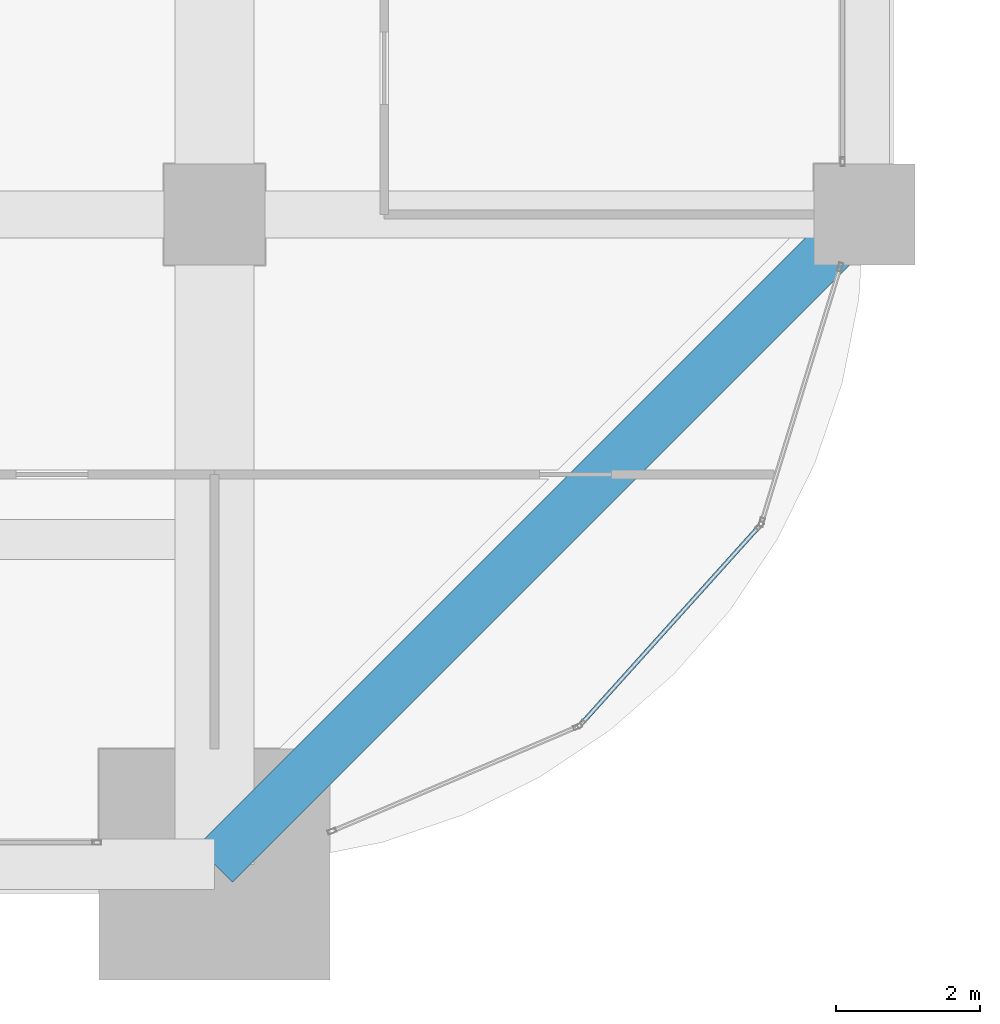
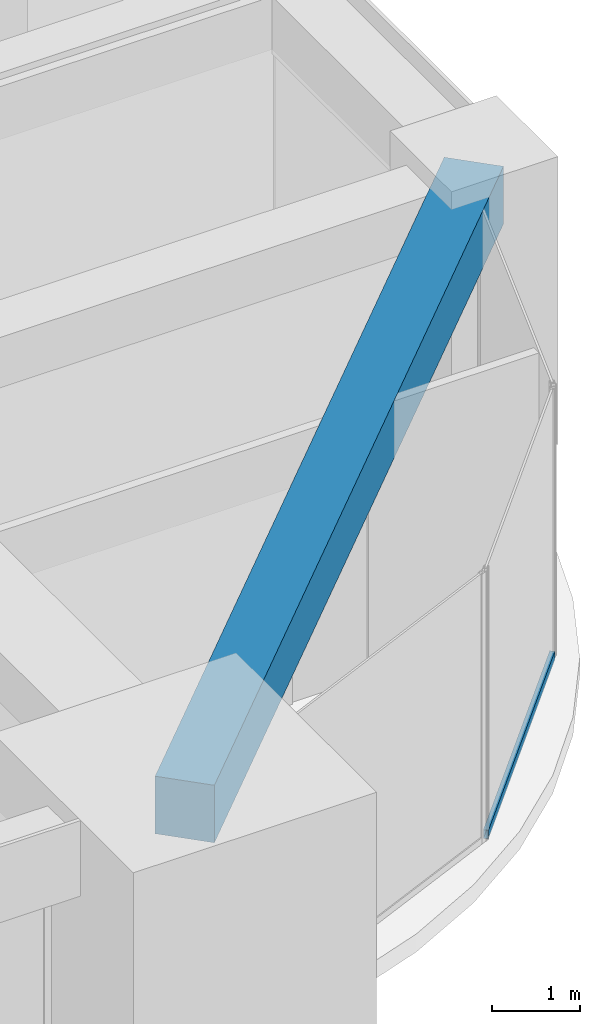
# One storey, part 18 of 43: 1 beam, 1 member, 1 element without a shape of its own.
"""IFC4 building model written with IfcOpenShell, lengths in metres."""

from ifc_helpers import new_model, si_unit, direction, frame, origin, origin_2d, place, context, subcontext, project, spatial, rectangle, hollow_rectangle, extrude, material, material_profile, profile_set, type_object, element, aggregate, save


model = new_model("IFC4")

# Units and contexts
model_context = context("Model", 3, precision=1e-05, world=origin(), true_north=direction((0.0, 1.0)))
body_context = subcontext(model_context, "Body", "Model", "MODEL_VIEW")
ifc_project = project(units=[si_unit("LENGTHUNIT", "METRE"), si_unit("AREAUNIT", "SQUARE_METRE"), si_unit("VOLUMEUNIT", "CUBIC_METRE"), si_unit("PLANEANGLEUNIT", "RADIAN"), si_unit("MASSUNIT", "GRAM", prefix="KILO")], contexts=[model_context])

# Site, building, storey
site_placement = place(None, origin())
site = spatial("IfcSite", under=ifc_project, at=site_placement, CompositionType="ELEMENT")
building_placement = place(site_placement, origin())
building = spatial("IfcBuilding", under=site, at=building_placement, Name="Zorevar Civic Tower", CompositionType="ELEMENT")
storey_placement = place(building_placement, frame((0.0, 0.0, 243.39990234375)))
storey = spatial("IfcBuildingStorey", under=building, at=storey_placement, Name="L59", CompositionType="ELEMENT", Elevation=243.39990234375)

# Curtain wall, member
ifc_material_1 = material(Name="Dark grey solar-control glass in black aluminium frame", Category="aluminium")
curtain_wall_type = type_object("IfcCurtainWallType", Name="Curtain wall CW5 top zone", PredefinedType="NOTDEFINED", material=ifc_material_1)
curtain_wall_placement = place(storey_placement, origin())
curtain_wall = element("IfcCurtainWall", 1, at=curtain_wall_placement, inside=storey, type_object=curtain_wall_type, Name="CW5 L59", PredefinedType="NOTDEFINED")
ifc_material_2 = material(Name="Aluminium, black anodised", Category="aluminium")
ifc_material_profile_1 = material_profile(ifc_material_2, hollow_rectangle(XDim=0.06005859375, YDim=0.1201171875, WallThickness=0.0029296875, at=origin_2d()), Name="AL 120x60x3")
ifc_profile_set_1 = profile_set([ifc_material_profile_1], Name="Aluminium, black anodised")
member_type = type_object("IfcMemberType", Name="CW5 transom AL 120x60x3", PredefinedType="USERDEFINED", material=ifc_profile_set_1)
member_placement = place(storey_placement, frame((50.095458984375, 1.964111328125, 0.030029296875), z_axis=(0.669242941431, 0.743043663148, 0.0), x_axis=(-0.743043663148, 0.669242941431, 0.0)))
member = element("IfcMember", 2, at=member_placement, type_object=member_type, Name="CW5 sill transom", ObjectType="TRANSOM", PredefinedType="USERDEFINED", context=body_context, shape_type="SweptSolid", body=[
    extrude(hollow_rectangle(XDim=0.06005859375, YDim=0.1201171875, WallThickness=0.0029296875, at=origin_2d()), origin(), (0.0, 0.0, 1.0), 3.635498046875),
])
aggregate(curtain_wall, [member])

# Beam
ifc_material_3 = material(Name="Concrete C50/60", Category="concrete")
ifc_material_profile_2 = material_profile(ifc_material_3, rectangle(XDim=0.699951171875, YDim=0.800048828125, at=origin_2d()), Name="RC 700x800")
ifc_profile_set_2 = profile_set([ifc_material_profile_2], Name="Concrete C50/60")
beam_type = type_object("IfcBeamType", Name="Edge beam RC 700x800", PredefinedType="SPANDREL", material=ifc_profile_set_2)
beam_placement = place(storey_placement, frame((45.0, 0.0, 3.35009765625), z_axis=(0.707106781187, 0.707106781187, 0.0), x_axis=(-0.707106781187, 0.707106781187, 0.0)))
element("IfcBeam", 3, at=beam_placement, inside=storey, type_object=beam_type, Name="Corner edge beam L60", PredefinedType="SPANDREL", context=body_context, shape_type="SweptSolid", body=[
    extrude(rectangle(XDim=0.699951171875, YDim=0.800048828125, at=origin_2d()), origin(), (0.0, 0.0, 1.0), 12.72802734375),
])

save(model, "model.ifc")
